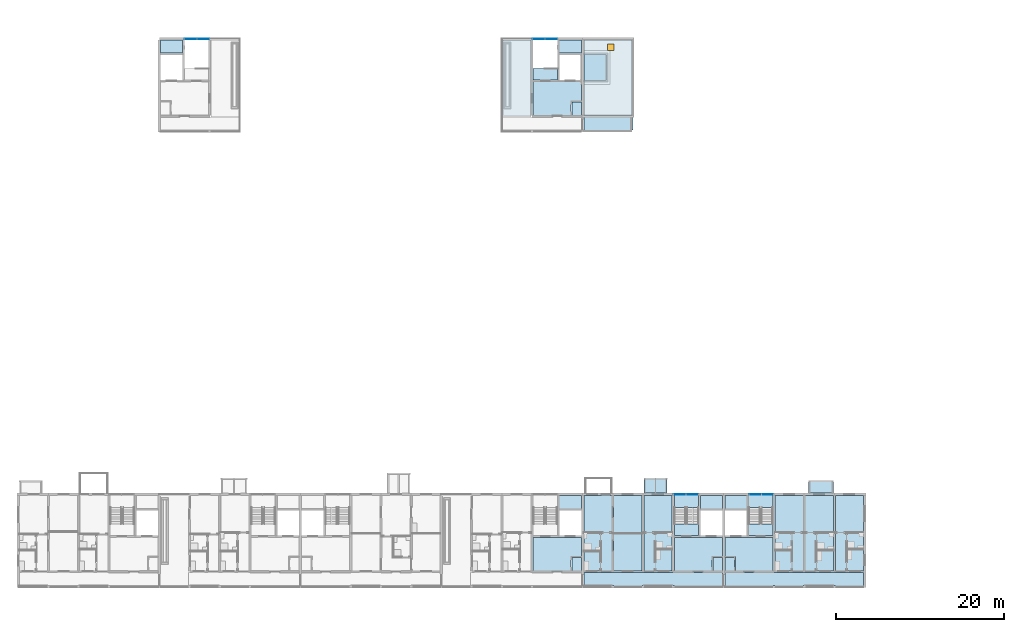
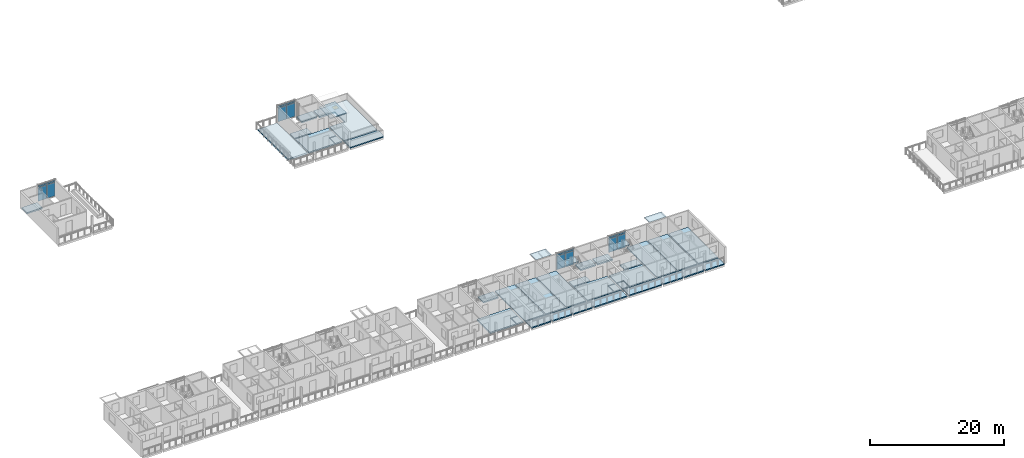
# One storey, part 27 of 78: 32 slabs, 16 plates, 1 door, 1 opening, 6 elements without a shape of their own.
"""IFC4 building model written with IfcOpenShell, lengths in metres."""

from ifc_helpers import new_model, si_unit, direction, frame, origin, origin_2d, place, context, subcontext, project, spatial, polyline, rectangle, outline, extrude, material, layer, layer_set, type_object, element, fill, aggregate, save


model = new_model("IFC4")

# Units and contexts
model_context = context("Model", 3, precision=1e-05, world=origin(), true_north=direction((0.0, 1.0)))
body_context = subcontext(model_context, "Body", "Model", "MODEL_VIEW")
ifc_project = project(units=[si_unit("LENGTHUNIT", "METRE"), si_unit("AREAUNIT", "SQUARE_METRE"), si_unit("VOLUMEUNIT", "CUBIC_METRE"), si_unit("PLANEANGLEUNIT", "RADIAN"), si_unit("MASSUNIT", "GRAM", prefix="KILO")], contexts=[model_context])

# Site, building, storey
site_placement = place(None, origin())
site = spatial("IfcSite", under=ifc_project, at=site_placement, CompositionType="ELEMENT")
building_placement = place(site_placement, origin())
building = spatial("IfcBuilding", under=site, at=building_placement, Name="Ridgestep Commons", CompositionType="ELEMENT")
storey_placement = place(building_placement, frame((0.0, 0.0, 30.0)))
storey = spatial("IfcBuildingStorey", under=building, at=storey_placement, Name="L10", CompositionType="ELEMENT", Elevation=30.0)

# Slabs
ifc_material_1 = material(Name="Precast concrete C40/50", Category="concrete")
ifc_layer_1 = layer(ifc_material_1, 0.199951171875)
ifc_layer_set_1 = layer_set([ifc_layer_1], Name="Gallery roof slab 200")
slab_type_1 = type_object("IfcSlabType", Name="Gallery roof slab 200", PredefinedType="ROOF", material=ifc_layer_set_1)
slab_1_placement = place(storey_placement, frame((0.0, 0.0, -0.199951171875)))
element("IfcSlab", 1, at=slab_1_placement, inside=storey, type_object=slab_type_1, Name="Gallery slab B5 L10", PredefinedType="ROOF", context=body_context, shape_type="SweptSolid", body=[
    extrude(outline(polyline([(79.35009765625, 66.0), (85.074951171875, 66.0), (85.074951171875, 66.25), (85.199951171875, 66.25), (85.199951171875, 67.800048828125), (79.35009765625, 67.800048828125), (79.35009765625, 66.0)])), origin(), (0.0, 0.0, 1.0), 0.199951171875),
])
ifc_material_2 = material(Name="Precast concrete C40/50", Category="concrete")
ifc_layer_2 = layer(ifc_material_2, 0.199951171875)
ifc_layer_set_2 = layer_set([ifc_layer_2], Name="Gallery slab 200")
slab_type_2 = type_object("IfcSlabType", Name="Gallery slab 200", PredefinedType="FLOOR", material=ifc_layer_set_2)
slab_2_placement = place(storey_placement, frame((0.0, 0.0, -0.199951171875)))
element("IfcSlab", 2, at=slab_2_placement, inside=storey, type_object=slab_type_2, Name="Gallery slab A5 L10", PredefinedType="FLOOR", context=body_context, shape_type="SweptSolid", body=[
    extrude(outline(polyline([(95.85009765625, 13.550048828125), (79.35009765625, 13.550048828125), (79.35009765625, 11.75), (82.675048828125, 11.75), (82.675048828125, 12.0), (82.925048828125, 12.0), (82.925048828125, 11.75), (86.27490234375, 11.75), (86.27490234375, 12.0), (86.52490234375, 12.0), (86.52490234375, 11.75), (89.875, 11.75), (89.875, 12.0), (90.125, 12.0), (90.125, 11.75), (95.85009765625, 11.75), (95.85009765625, 13.550048828125)])), origin(), (0.0, 0.0, 1.0), 0.199951171875),
])
slab_3_placement = place(storey_placement, frame((0.0, 0.0, -0.199951171875)))
element("IfcSlab", 3, at=slab_3_placement, inside=storey, type_object=slab_type_2, Name="Gallery slab A6 L10", PredefinedType="FLOOR", context=body_context, shape_type="SweptSolid", body=[
    extrude(outline(polyline([(112.64990234375, 13.550048828125), (96.14990234375, 13.550048828125), (96.14990234375, 11.75), (101.875, 11.75), (101.875, 12.0), (102.125, 12.0), (102.125, 11.75), (105.47509765625, 11.75), (105.47509765625, 12.0), (105.72509765625, 12.0), (105.72509765625, 11.75), (109.074951171875, 11.75), (109.074951171875, 12.0), (109.324951171875, 12.0), (109.324951171875, 11.75), (112.64990234375, 11.75), (112.64990234375, 13.550048828125)])), origin(), (0.0, 0.0, 1.0), 0.199951171875),
])

# Curtain wall, plates
ifc_material_3 = material(Name="Aluminium 6063-T6 and glass", Category="aluminium")
curtain_wall_type = type_object("IfcCurtainWallType", Name="Curtain wall stair strip", PredefinedType="NOTDEFINED", material=ifc_material_3)
curtain_wall_1_placement = place(storey_placement, origin())
curtain_wall_1 = element("IfcCurtainWall", 4, at=curtain_wall_1_placement, inside=storey, type_object=curtain_wall_type, Name="Curtain wall A5C level 10", PredefinedType="NOTDEFINED")
ifc_material_4 = material(Name="Glass laminated 6/16/6 low-emissivity", Category="glass")
ifc_layer_3 = layer(ifc_material_4, 0.028076171875)
ifc_layer_set_3 = layer_set([ifc_layer_3], Name="Glazing panel 28")
plate_type_1 = type_object("IfcPlateType", Name="Glazing panel 28", PredefinedType="CURTAIN_PANEL", material=ifc_layer_set_3)
plate_1_placement = place(storey_placement, frame((90.771240234375, 22.830078125, 0.06005859375), z_axis=(0.0, 0.0, 1.0), x_axis=(1.0, 0.0, 0.0)))
plate_1 = element("IfcPlate", 5, at=plate_1_placement, type_object=plate_type_1, Name="CW1 panel 1.1", PredefinedType="CURTAIN_PANEL", context=body_context, shape_type="SweptSolid", body=[
    extrude(rectangle(XDim=1.422607421875, YDim=0.028076171875, at=origin_2d()), origin(), (0.0, 0.0, 1.0), 2.5),
])
plate_2_placement = place(storey_placement, frame((92.253662109375, 22.830078125, 0.06005859375), z_axis=(0.0, 0.0, 1.0), x_axis=(1.0, 0.0, 0.0)))
plate_2 = element("IfcPlate", 6, at=plate_2_placement, type_object=plate_type_1, Name="CW1 panel 2.1", PredefinedType="CURTAIN_PANEL", context=body_context, shape_type="SweptSolid", body=[
    extrude(rectangle(XDim=1.422607421875, YDim=0.028076171875, at=origin_2d()), origin(), (0.0, 0.0, 1.0), 2.5),
])

curtain_wall_2_placement = place(storey_placement, origin())
curtain_wall_2 = element("IfcCurtainWall", 7, at=curtain_wall_2_placement, inside=storey, type_object=curtain_wall_type, Name="Curtain wall A6C level 10", PredefinedType="NOTDEFINED")
plate_3_placement = place(storey_placement, frame((99.746337890625, 22.830078125, 0.06005859375), z_axis=(0.0, 0.0, 1.0), x_axis=(1.0, 0.0, 0.0)))
plate_3 = element("IfcPlate", 8, at=plate_3_placement, type_object=plate_type_1, Name="CW1 panel 1.1", PredefinedType="CURTAIN_PANEL", context=body_context, shape_type="SweptSolid", body=[
    extrude(rectangle(XDim=1.422607421875, YDim=0.028076171875, at=origin_2d()), origin(), (0.0, 0.0, 1.0), 2.5),
])
plate_4_placement = place(storey_placement, frame((101.228759765625, 22.830078125, 0.06005859375), z_axis=(0.0, 0.0, 1.0), x_axis=(1.0, 0.0, 0.0)))
plate_4 = element("IfcPlate", 9, at=plate_4_placement, type_object=plate_type_1, Name="CW1 panel 2.1", PredefinedType="CURTAIN_PANEL", context=body_context, shape_type="SweptSolid", body=[
    extrude(rectangle(XDim=1.422607421875, YDim=0.028076171875, at=origin_2d()), origin(), (0.0, 0.0, 1.0), 2.5),
])

curtain_wall_3_placement = place(storey_placement, origin())
curtain_wall_3 = element("IfcCurtainWall", 10, at=curtain_wall_3_placement, inside=storey, type_object=curtain_wall_type, Name="Curtain wall B2C level 10", PredefinedType="NOTDEFINED")
plate_5_placement = place(storey_placement, frame((32.546142578125, 77.080078125, 0.06005859375), z_axis=(0.0, 0.0, 1.0), x_axis=(1.0, 0.0, 0.0)))
plate_5 = element("IfcPlate", 11, at=plate_5_placement, type_object=plate_type_1, Name="CW1 panel 1.1", PredefinedType="CURTAIN_PANEL", context=body_context, shape_type="SweptSolid", body=[
    extrude(rectangle(XDim=1.422607421875, YDim=0.028076171875, at=origin_2d()), origin(), (0.0, 0.0, 1.0), 2.5),
])
plate_6_placement = place(storey_placement, frame((34.02880859375, 77.080078125, 0.06005859375), z_axis=(0.0, 0.0, 1.0), x_axis=(1.0, 0.0, 0.0)))
plate_6 = element("IfcPlate", 12, at=plate_6_placement, type_object=plate_type_1, Name="CW1 panel 2.1", PredefinedType="CURTAIN_PANEL", context=body_context, shape_type="SweptSolid", body=[
    extrude(rectangle(XDim=1.422607421875, YDim=0.028076171875, at=origin_2d()), origin(), (0.0, 0.0, 1.0), 2.5),
])

curtain_wall_4_placement = place(storey_placement, origin())
curtain_wall_4 = element("IfcCurtainWall", 13, at=curtain_wall_4_placement, inside=storey, type_object=curtain_wall_type, Name="Curtain wall B4C level 10", PredefinedType="NOTDEFINED")
plate_7_placement = place(storey_placement, frame((73.97119140625, 77.080078125, 0.06005859375), z_axis=(0.0, 0.0, 1.0), x_axis=(1.0, 0.0, 0.0)))
plate_7 = element("IfcPlate", 14, at=plate_7_placement, type_object=plate_type_1, Name="CW1 panel 1.1", PredefinedType="CURTAIN_PANEL", context=body_context, shape_type="SweptSolid", body=[
    extrude(rectangle(XDim=1.422607421875, YDim=0.028076171875, at=origin_2d()), origin(), (0.0, 0.0, 1.0), 2.5),
])
plate_8_placement = place(storey_placement, frame((75.453857421875, 77.080078125, 0.06005859375), z_axis=(0.0, 0.0, 1.0), x_axis=(1.0, 0.0, 0.0)))
plate_8 = element("IfcPlate", 15, at=plate_8_placement, type_object=plate_type_1, Name="CW1 panel 2.1", PredefinedType="CURTAIN_PANEL", context=body_context, shape_type="SweptSolid", body=[
    extrude(rectangle(XDim=1.422607421875, YDim=0.028076171875, at=origin_2d()), origin(), (0.0, 0.0, 1.0), 2.5),
])

# Slabs
ifc_material_5 = material(Name="Precast concrete C50/60", Category="concrete")
ifc_layer_4 = layer(ifc_material_5, 0.199951171875)
ifc_layer_set_4 = layer_set([ifc_layer_4], Name="Hollow-core plank 200")
slab_type_3 = type_object("IfcSlabType", Name="Hollow-core plank 200", PredefinedType="FLOOR", material=ifc_layer_set_4)
slab_4_placement = place(storey_placement, frame((0.0, 0.0, -0.199951171875)))
element("IfcSlab", 16, at=slab_4_placement, inside=storey, type_object=slab_type_3, Name="Floor plank A5T1 L10", PredefinedType="FLOOR", context=body_context, shape_type="SweptSolid", body=[
    extrude(outline(polyline([(82.699951171875, 13.75), (82.699951171875, 22.75), (79.35009765625, 22.75), (79.35009765625, 13.75), (82.699951171875, 13.75)])), origin(), (0.0, 0.0, 1.0), 0.199951171875),
])
slab_5_placement = place(storey_placement, frame((0.0, 0.0, -0.199951171875)))
element("IfcSlab", 17, at=slab_5_placement, inside=storey, type_object=slab_type_3, Name="Floor plank A5T2 L10", PredefinedType="FLOOR", context=body_context, shape_type="SweptSolid", body=[
    extrude(outline(polyline([(86.300048828125, 13.75), (86.300048828125, 22.75), (82.89990234375, 22.75), (82.89990234375, 13.75), (86.300048828125, 13.75)])), origin(), (0.0, 0.0, 1.0), 0.199951171875),
])
slab_6_placement = place(storey_placement, frame((0.0, 0.0, -0.199951171875)))
element("IfcSlab", 18, at=slab_6_placement, inside=storey, type_object=slab_type_3, Name="Floor plank A5T3 L10", PredefinedType="FLOOR", context=body_context, shape_type="SweptSolid", body=[
    extrude(outline(polyline([(89.875, 13.75), (89.875, 22.75), (86.5, 22.75), (86.5, 13.75), (89.875, 13.75)])), origin(), (0.0, 0.0, 1.0), 0.199951171875),
])
slab_7_placement = place(storey_placement, frame((0.0, 0.0, -0.199951171875)))
element("IfcSlab", 19, at=slab_7_placement, inside=storey, type_object=slab_type_3, Name="Floor plank A6T3 L10", PredefinedType="FLOOR", context=body_context, shape_type="SweptSolid", body=[
    extrude(outline(polyline([(105.5, 13.75), (105.5, 22.75), (102.125, 22.75), (102.125, 13.75), (105.5, 13.75)])), origin(), (0.0, 0.0, 1.0), 0.199951171875),
])
slab_8_placement = place(storey_placement, frame((0.0, 0.0, -0.199951171875)))
element("IfcSlab", 20, at=slab_8_placement, inside=storey, type_object=slab_type_3, Name="Floor plank A6T2 L10", PredefinedType="FLOOR", context=body_context, shape_type="SweptSolid", body=[
    extrude(outline(polyline([(109.10009765625, 13.75), (109.10009765625, 22.75), (105.699951171875, 22.75), (105.699951171875, 13.75), (109.10009765625, 13.75)])), origin(), (0.0, 0.0, 1.0), 0.199951171875),
])
slab_9_placement = place(storey_placement, frame((0.0, 0.0, -0.199951171875)))
element("IfcSlab", 21, at=slab_9_placement, inside=storey, type_object=slab_type_3, Name="Floor plank A6T1 L10", PredefinedType="FLOOR", context=body_context, shape_type="SweptSolid", body=[
    extrude(outline(polyline([(112.64990234375, 13.75), (112.64990234375, 22.75), (109.300048828125, 22.75), (109.300048828125, 13.75), (112.64990234375, 13.75)])), origin(), (0.0, 0.0, 1.0), 0.199951171875),
])
ifc_material_6 = material(Name="Precast concrete C50/60", Category="concrete")
ifc_layer_5 = layer(ifc_material_6, 0.25)
ifc_layer_set_5 = layer_set([ifc_layer_5], Name="Hollow-core plank 250")
slab_type_4 = type_object("IfcSlabType", Name="Hollow-core plank 250", PredefinedType="FLOOR", material=ifc_layer_set_5)
slab_10_placement = place(storey_placement, frame((0.0, 0.0, -0.25)))
element("IfcSlab", 22, at=slab_10_placement, inside=storey, type_object=slab_type_4, Name="Floor plank A4C L10", PredefinedType="FLOOR", context=body_context, shape_type="SweptSolid", body=[
    extrude(outline(polyline([(77.919921875, 15.469970703125), (79.050048828125, 15.469970703125), (79.050048828125, 17.75), (73.324951171875, 17.75), (73.324951171875, 13.75), (77.800048828125, 13.75), (77.800048828125, 15.469970703125), (77.919921875, 15.469970703125)])), origin(), (0.0, 0.0, 1.0), 0.25),
])
slab_11_placement = place(storey_placement, frame((0.0, 0.0, -0.25)))
element("IfcSlab", 23, at=slab_11_placement, inside=storey, type_object=slab_type_4, Name="Floor plank A4C L10", PredefinedType="FLOOR", context=body_context, shape_type="SweptSolid", body=[
    extrude(outline(polyline([(79.050048828125, 21.14990234375), (79.050048828125, 22.75), (76.425048828125, 22.75), (76.425048828125, 21.14990234375), (79.050048828125, 21.14990234375)])), origin(), (0.0, 0.0, 1.0), 0.25),
])
slab_12_placement = place(storey_placement, frame((0.0, 0.0, -0.25)))
element("IfcSlab", 24, at=slab_12_placement, inside=storey, type_object=slab_type_4, Name="Floor plank A4C L10", PredefinedType="FLOOR", context=body_context, shape_type="SweptSolid", body=[
    extrude(outline(polyline([(77.919921875, 13.75), (79.050048828125, 13.75), (79.050048828125, 15.35009765625), (77.919921875, 15.35009765625), (77.919921875, 13.75)])), origin(), (0.0, 0.0, 1.0), 0.25),
])
slab_13_placement = place(storey_placement, frame((0.0, 0.0, -0.25)))
element("IfcSlab", 25, at=slab_13_placement, inside=storey, type_object=slab_type_4, Name="Floor plank A5C L10", PredefinedType="FLOOR", context=body_context, shape_type="SweptSolid", body=[
    extrude(outline(polyline([(94.719970703125, 15.469970703125), (95.85009765625, 15.469970703125), (95.85009765625, 17.75), (90.125, 17.75), (90.125, 13.75), (94.60009765625, 13.75), (94.60009765625, 15.469970703125), (94.719970703125, 15.469970703125)])), origin(), (0.0, 0.0, 1.0), 0.25),
])
slab_14_placement = place(storey_placement, frame((0.0, 0.0, -0.25)))
element("IfcSlab", 26, at=slab_14_placement, inside=storey, type_object=slab_type_4, Name="Floor plank A5C L10", PredefinedType="FLOOR", context=body_context, shape_type="SweptSolid", body=[
    extrude(outline(polyline([(95.85009765625, 21.14990234375), (95.85009765625, 22.75), (93.22509765625, 22.75), (93.22509765625, 21.14990234375), (95.85009765625, 21.14990234375)])), origin(), (0.0, 0.0, 1.0), 0.25),
])
slab_15_placement = place(storey_placement, frame((0.0, 0.0, -0.25)))
element("IfcSlab", 27, at=slab_15_placement, inside=storey, type_object=slab_type_4, Name="Floor plank A5C L10", PredefinedType="FLOOR", context=body_context, shape_type="SweptSolid", body=[
    extrude(outline(polyline([(93.02490234375, 17.949951171875), (93.02490234375, 19.35009765625), (90.125, 19.35009765625), (90.125, 17.949951171875), (93.02490234375, 17.949951171875)])), origin(), (0.0, 0.0, 1.0), 0.25),
])
slab_16_placement = place(storey_placement, frame((0.0, 0.0, -0.25)))
element("IfcSlab", 28, at=slab_16_placement, inside=storey, type_object=slab_type_4, Name="Floor plank A5C L10", PredefinedType="FLOOR", context=body_context, shape_type="SweptSolid", body=[
    extrude(outline(polyline([(94.719970703125, 13.75), (95.85009765625, 13.75), (95.85009765625, 15.35009765625), (94.719970703125, 15.35009765625), (94.719970703125, 13.75)])), origin(), (0.0, 0.0, 1.0), 0.25),
])
slab_17_placement = place(storey_placement, frame((0.0, 0.0, -0.25)))
element("IfcSlab", 29, at=slab_17_placement, inside=storey, type_object=slab_type_4, Name="Floor plank A6C L10", PredefinedType="FLOOR", context=body_context, shape_type="SweptSolid", body=[
    extrude(outline(polyline([(97.39990234375, 13.75), (101.875, 13.75), (101.875, 17.75), (96.14990234375, 17.75), (96.14990234375, 15.469970703125), (97.280029296875, 15.469970703125), (97.39990234375, 15.469970703125), (97.39990234375, 13.75)])), origin(), (0.0, 0.0, 1.0), 0.25),
])
slab_18_placement = place(storey_placement, frame((0.0, 0.0, -0.25)))
element("IfcSlab", 30, at=slab_18_placement, inside=storey, type_object=slab_type_4, Name="Floor plank A6C L10", PredefinedType="FLOOR", context=body_context, shape_type="SweptSolid", body=[
    extrude(outline(polyline([(98.77490234375, 22.75), (96.14990234375, 22.75), (96.14990234375, 21.14990234375), (98.77490234375, 21.14990234375), (98.77490234375, 22.75)])), origin(), (0.0, 0.0, 1.0), 0.25),
])
slab_19_placement = place(storey_placement, frame((0.0, 0.0, -0.25)))
element("IfcSlab", 31, at=slab_19_placement, inside=storey, type_object=slab_type_4, Name="Floor plank A6C L10", PredefinedType="FLOOR", context=body_context, shape_type="SweptSolid", body=[
    extrude(outline(polyline([(101.875, 17.949951171875), (101.875, 19.35009765625), (98.97509765625, 19.35009765625), (98.97509765625, 17.949951171875), (101.875, 17.949951171875)])), origin(), (0.0, 0.0, 1.0), 0.25),
])
slab_20_placement = place(storey_placement, frame((0.0, 0.0, -0.25)))
element("IfcSlab", 32, at=slab_20_placement, inside=storey, type_object=slab_type_4, Name="Floor plank A6C L10", PredefinedType="FLOOR", context=body_context, shape_type="SweptSolid", body=[
    extrude(outline(polyline([(97.280029296875, 15.35009765625), (96.14990234375, 15.35009765625), (96.14990234375, 13.75), (97.280029296875, 13.75), (97.280029296875, 15.35009765625)])), origin(), (0.0, 0.0, 1.0), 0.25),
])
slab_21_placement = place(storey_placement, frame((0.0, 0.0, -0.25)))
element("IfcSlab", 33, at=slab_21_placement, inside=storey, type_object=slab_type_4, Name="Floor plank B2C L10", PredefinedType="FLOOR", context=body_context, shape_type="SweptSolid", body=[
    extrude(outline(polyline([(31.574951171875, 77.0), (28.949951171875, 77.0), (28.949951171875, 75.39990234375), (31.574951171875, 75.39990234375), (31.574951171875, 77.0)])), origin(), (0.0, 0.0, 1.0), 0.25),
])
slab_22_placement = place(storey_placement, frame((0.0, 0.0, -0.25)))
element("IfcSlab", 34, at=slab_22_placement, inside=storey, type_object=slab_type_4, Name="Floor plank B4C L10", PredefinedType="FLOOR", context=body_context, shape_type="SweptSolid", body=[
    extrude(outline(polyline([(77.919921875, 69.719970703125), (79.050048828125, 69.719970703125), (79.050048828125, 72.0), (73.324951171875, 72.0), (73.324951171875, 68.0), (77.800048828125, 68.0), (77.800048828125, 69.719970703125), (77.919921875, 69.719970703125)])), origin(), (0.0, 0.0, 1.0), 0.25),
])
slab_23_placement = place(storey_placement, frame((0.0, 0.0, -0.25)))
element("IfcSlab", 35, at=slab_23_placement, inside=storey, type_object=slab_type_4, Name="Floor plank B4C L10", PredefinedType="FLOOR", context=body_context, shape_type="SweptSolid", body=[
    extrude(outline(polyline([(79.050048828125, 75.39990234375), (79.050048828125, 77.0), (76.425048828125, 77.0), (76.425048828125, 75.39990234375), (79.050048828125, 75.39990234375)])), origin(), (0.0, 0.0, 1.0), 0.25),
])
slab_24_placement = place(storey_placement, frame((0.0, 0.0, -0.25)))
element("IfcSlab", 36, at=slab_24_placement, inside=storey, type_object=slab_type_4, Name="Floor plank B4C L10", PredefinedType="FLOOR", context=body_context, shape_type="SweptSolid", body=[
    extrude(outline(polyline([(76.22509765625, 72.199951171875), (76.22509765625, 73.60009765625), (73.324951171875, 73.60009765625), (73.324951171875, 72.199951171875), (76.22509765625, 72.199951171875)])), origin(), (0.0, 0.0, 1.0), 0.25),
])
slab_25_placement = place(storey_placement, frame((0.0, 0.0, -0.25)))
element("IfcSlab", 37, at=slab_25_placement, inside=storey, type_object=slab_type_4, Name="Floor plank B4C L10", PredefinedType="FLOOR", context=body_context, shape_type="SweptSolid", body=[
    extrude(outline(polyline([(77.919921875, 68.0), (79.050048828125, 68.0), (79.050048828125, 69.60009765625), (77.919921875, 69.60009765625), (77.919921875, 68.0)])), origin(), (0.0, 0.0, 1.0), 0.25),
])
ifc_material_7 = material(Name="Precast concrete C50/60", Category="concrete")
ifc_layer_6 = layer(ifc_material_7, 0.199951171875)
ifc_layer_set_6 = layer_set([ifc_layer_6], Name="Overrun roof 200")
slab_type_5 = type_object("IfcSlabType", Name="Overrun roof 200", PredefinedType="ROOF", material=ifc_layer_set_6)
slab_26_placement = place(storey_placement, frame((0.0, 0.0, 1.5)))
element("IfcSlab", 38, at=slab_26_placement, inside=storey, type_object=slab_type_5, Name="Lift overrun roof B5C", PredefinedType="ROOF", context=body_context, shape_type="SweptSolid", body=[
    extrude(outline(polyline([(82.175048828125, 75.39990234375), (79.35009765625, 75.39990234375), (79.35009765625, 72.0), (82.175048828125, 72.0), (82.175048828125, 75.39990234375)])), origin(), (0.0, 0.0, 1.0), 0.199951171875),
])
ifc_material_8 = material(Name="Precast concrete C50/60", Category="concrete")
ifc_layer_7 = layer(ifc_material_8, 0.25)
ifc_layer_set_7 = layer_set([ifc_layer_7], Name="Roof slab 250")
slab_type_6 = type_object("IfcSlabType", Name="Roof slab 250", PredefinedType="ROOF", material=ifc_layer_set_7)
slab_27_placement = place(storey_placement, frame((0.0, 0.0, -0.25)))
element("IfcSlab", 39, at=slab_27_placement, inside=storey, type_object=slab_type_6, Name="Terrace slab B4T3", PredefinedType="ROOF", context=body_context, shape_type="SweptSolid", body=[
    extrude(outline(polyline([(73.074951171875, 68.0), (73.074951171875, 77.0), (69.699951171875, 77.0), (69.699951171875, 68.0), (73.074951171875, 68.0)])), origin(), (0.0, 0.0, 1.0), 0.25),
])

# Slab, opening, door
slab_28_placement = place(storey_placement, frame((0.0, 0.0, -0.25)))
slab_28 = element("IfcSlab", 40, at=slab_28_placement, inside=storey, type_object=slab_type_6, Name="Roof slab B5C", PredefinedType="ROOF", context=body_context, shape_type="SweptSolid", body=[
    extrude(outline(polyline([(79.35009765625, 77.0), (79.35009765625, 75.199951171875), (81.97509765625, 75.199951171875), (81.97509765625, 72.199951171875), (79.35009765625, 72.199951171875), (79.35009765625, 68.0), (85.074951171875, 68.0), (85.074951171875, 77.0), (79.35009765625, 77.0)])), origin(), (0.0, 0.0, 1.0), 0.25),
])
opening_placement = place(slab_28_placement, frame((82.574951171875, 76.10009765625, 0.0)))
opening = element("IfcOpeningElement", 41, at=opening_placement, cuts=slab_28, Name="Opening B5C/RF/1", PredefinedType="OPENING", context=body_context, shape_type="SweptSolid", body=[
    extrude(rectangle(XDim=0.800048828125, YDim=0.800048828125, at=origin_2d()), origin(), (0.0, 0.0, 1.0), 0.25),
])
ifc_material_9 = material(Name="Steel", Category="steel")
door_type = type_object("IfcDoorType", Name="Ladder roof hatch 800 x 800", OperationType="SINGLE_SWING_LEFT", PredefinedType="TRAPDOOR", material=ifc_material_9)
door_placement = place(opening_placement, frame((0.0, 0.0, 0.199951171875)))
door = element("IfcDoor", 42, at=door_placement, inside=storey, type_object=door_type, Name="Roof hatch B5C", OperationType="SINGLE_SWING_LEFT", OverallHeight=0.800048828125, OverallWidth=0.800048828125, PredefinedType="TRAPDOOR", context=body_context, shape_type="SweptSolid", body=[
    extrude(rectangle(XDim=0.800048828125, YDim=0.800048828125, at=origin_2d()), origin(), (0.0, 0.0, 1.0), 0.050048828125),
])
fill(opening, door)

# Plate
ifc_material_10 = material(Name="Aluminium 6063-T6 and mineral wool", Category="aluminium")
ifc_layer_8 = layer(ifc_material_10, 0.0400390625)
ifc_layer_set_8 = layer_set([ifc_layer_8], Name="Spandrel panel 40")
plate_type_2 = type_object("IfcPlateType", Name="Spandrel panel 40", PredefinedType="CURTAIN_PANEL", material=ifc_layer_set_8)
plate_9_placement = place(storey_placement, frame((90.771240234375, 22.830078125, 2.6201171875), z_axis=(0.0, 0.0, 1.0), x_axis=(1.0, 0.0, 0.0)))
plate_9 = element("IfcPlate", 43, at=plate_9_placement, type_object=plate_type_2, Name="CW1 panel 1.2", PredefinedType="CURTAIN_PANEL", context=body_context, shape_type="SweptSolid", body=[
    extrude(rectangle(XDim=1.422607421875, YDim=0.0400390625, at=origin_2d()), origin(), (0.0, 0.0, 1.0), 0.320068359375),
])

plate_10_placement = place(storey_placement, frame((92.253662109375, 22.830078125, 2.6201171875), z_axis=(0.0, 0.0, 1.0), x_axis=(1.0, 0.0, 0.0)))
plate_10 = element("IfcPlate", 44, at=plate_10_placement, type_object=plate_type_2, Name="CW1 panel 2.2", PredefinedType="CURTAIN_PANEL", context=body_context, shape_type="SweptSolid", body=[
    extrude(rectangle(XDim=1.422607421875, YDim=0.0400390625, at=origin_2d()), origin(), (0.0, 0.0, 1.0), 0.320068359375),
])

aggregate(curtain_wall_1, [plate_1, plate_9, plate_2, plate_10])

plate_11_placement = place(storey_placement, frame((99.746337890625, 22.830078125, 2.6201171875), z_axis=(0.0, 0.0, 1.0), x_axis=(1.0, 0.0, 0.0)))
plate_11 = element("IfcPlate", 45, at=plate_11_placement, type_object=plate_type_2, Name="CW1 panel 1.2", PredefinedType="CURTAIN_PANEL", context=body_context, shape_type="SweptSolid", body=[
    extrude(rectangle(XDim=1.422607421875, YDim=0.0400390625, at=origin_2d()), origin(), (0.0, 0.0, 1.0), 0.320068359375),
])

plate_12_placement = place(storey_placement, frame((101.228759765625, 22.830078125, 2.6201171875), z_axis=(0.0, 0.0, 1.0), x_axis=(1.0, 0.0, 0.0)))
plate_12 = element("IfcPlate", 46, at=plate_12_placement, type_object=plate_type_2, Name="CW1 panel 2.2", PredefinedType="CURTAIN_PANEL", context=body_context, shape_type="SweptSolid", body=[
    extrude(rectangle(XDim=1.422607421875, YDim=0.0400390625, at=origin_2d()), origin(), (0.0, 0.0, 1.0), 0.320068359375),
])

aggregate(curtain_wall_2, [plate_3, plate_11, plate_4, plate_12])

plate_13_placement = place(storey_placement, frame((32.546142578125, 77.080078125, 2.6201171875), z_axis=(0.0, 0.0, 1.0), x_axis=(1.0, 0.0, 0.0)))
plate_13 = element("IfcPlate", 47, at=plate_13_placement, type_object=plate_type_2, Name="CW1 panel 1.2", PredefinedType="CURTAIN_PANEL", context=body_context, shape_type="SweptSolid", body=[
    extrude(rectangle(XDim=1.422607421875, YDim=0.0400390625, at=origin_2d()), origin(), (0.0, 0.0, 1.0), 0.320068359375),
])

plate_14_placement = place(storey_placement, frame((34.02880859375, 77.080078125, 2.6201171875), z_axis=(0.0, 0.0, 1.0), x_axis=(1.0, 0.0, 0.0)))
plate_14 = element("IfcPlate", 48, at=plate_14_placement, type_object=plate_type_2, Name="CW1 panel 2.2", PredefinedType="CURTAIN_PANEL", context=body_context, shape_type="SweptSolid", body=[
    extrude(rectangle(XDim=1.422607421875, YDim=0.0400390625, at=origin_2d()), origin(), (0.0, 0.0, 1.0), 0.320068359375),
])

aggregate(curtain_wall_3, [plate_5, plate_13, plate_6, plate_14])

plate_15_placement = place(storey_placement, frame((73.97119140625, 77.080078125, 2.6201171875), z_axis=(0.0, 0.0, 1.0), x_axis=(1.0, 0.0, 0.0)))
plate_15 = element("IfcPlate", 49, at=plate_15_placement, type_object=plate_type_2, Name="CW1 panel 1.2", PredefinedType="CURTAIN_PANEL", context=body_context, shape_type="SweptSolid", body=[
    extrude(rectangle(XDim=1.422607421875, YDim=0.0400390625, at=origin_2d()), origin(), (0.0, 0.0, 1.0), 0.320068359375),
])

plate_16_placement = place(storey_placement, frame((75.453857421875, 77.080078125, 2.6201171875), z_axis=(0.0, 0.0, 1.0), x_axis=(1.0, 0.0, 0.0)))
plate_16 = element("IfcPlate", 50, at=plate_16_placement, type_object=plate_type_2, Name="CW1 panel 2.2", PredefinedType="CURTAIN_PANEL", context=body_context, shape_type="SweptSolid", body=[
    extrude(rectangle(XDim=1.422607421875, YDim=0.0400390625, at=origin_2d()), origin(), (0.0, 0.0, 1.0), 0.320068359375),
])

aggregate(curtain_wall_4, [plate_7, plate_15, plate_8, plate_16])

# Stair, slab
ifc_material_11 = material(Name="Precast concrete C40/50", Category="concrete")
stair_type = type_object("IfcStairType", Name="Escape stair 1400", PredefinedType="HALF_TURN_STAIR", material=ifc_material_11)
stair_1_placement = place(storey_placement, origin())
stair_1 = element("IfcStair", 51, at=stair_1_placement, inside=storey, type_object=stair_type, Name="L10 Escape stair A5C", PredefinedType="HALF_TURN_STAIR")
ifc_material_12 = material(Name="Precast concrete C40/50", Category="concrete")
ifc_layer_9 = layer(ifc_material_12, 0.199951171875)
ifc_layer_set_9 = layer_set([ifc_layer_9], Name="Stair landing 200")
slab_type_7 = type_object("IfcSlabType", Name="Stair landing 200", PredefinedType="LANDING", material=ifc_layer_set_9)
slab_29_placement = place(storey_placement, frame((0.0, 0.0, 1.300048828125)))
slab_29 = element("IfcSlab", 52, at=slab_29_placement, type_object=slab_type_7, Name="A5C landing 1", PredefinedType="LANDING", context=body_context, shape_type="SweptSolid", body=[
    extrude(outline(polyline([(93.02490234375, 21.31005859375), (93.02490234375, 22.75), (90.125, 22.75), (90.125, 21.31005859375), (93.02490234375, 21.31005859375)])), origin(), (0.0, 0.0, 1.0), 0.199951171875),
])
aggregate(stair_1, [slab_29])

stair_2_placement = place(storey_placement, origin())
stair_2 = element("IfcStair", 53, at=stair_2_placement, inside=storey, type_object=stair_type, Name="L10 Escape stair A6C", PredefinedType="HALF_TURN_STAIR")
slab_30_placement = place(storey_placement, frame((0.0, 0.0, 1.300048828125)))
slab_30 = element("IfcSlab", 54, at=slab_30_placement, type_object=slab_type_7, Name="A6C landing 1", PredefinedType="LANDING", context=body_context, shape_type="SweptSolid", body=[
    extrude(outline(polyline([(101.875, 21.31005859375), (101.875, 22.75), (98.97509765625, 22.75), (98.97509765625, 21.31005859375), (101.875, 21.31005859375)])), origin(), (0.0, 0.0, 1.0), 0.199951171875),
])
aggregate(stair_2, [slab_30])

# Slabs
ifc_material_13 = material(Name="Weathering steel S355J2W", Category="steel")
ifc_layer_10 = layer(ifc_material_13, 0.010009765625)
ifc_layer_set_10 = layer_set([ifc_layer_10], Name="Tray 2.8 x 1.8")
slab_type_8 = type_object("IfcSlabType", Name="Tray 2.8 x 1.8", PredefinedType="FLOOR", material=ifc_layer_set_10)
slab_31_placement = place(storey_placement, frame((0.0, 0.0, 2.989990234375)))
element("IfcSlab", 55, at=slab_31_placement, inside=storey, type_object=slab_type_8, Name="Tray deck A5T3-11", PredefinedType="FLOOR", context=body_context, shape_type="SweptSolid", body=[
    extrude(outline(polyline([(86.530029296875, 23.0), (89.27001953125, 23.0), (89.27001953125, 24.800048828125), (86.530029296875, 24.800048828125), (86.530029296875, 23.0)])), origin(), (0.0, 0.0, 1.0), 0.010009765625),
])
ifc_material_14 = material(Name="Weathering steel S355J2W", Category="steel")
ifc_layer_11 = layer(ifc_material_14, 0.010009765625)
ifc_layer_set_11 = layer_set([ifc_layer_11], Name="Tray 3.0 x 1.5")
slab_type_9 = type_object("IfcSlabType", Name="Tray 3.0 x 1.5", PredefinedType="FLOOR", material=ifc_layer_set_11)
slab_32_placement = place(storey_placement, frame((0.0, 0.0, 2.989990234375)))
element("IfcSlab", 56, at=slab_32_placement, inside=storey, type_object=slab_type_9, Name="Tray deck A6T2-11", PredefinedType="FLOOR", context=body_context, shape_type="SweptSolid", body=[
    extrude(outline(polyline([(106.1298828125, 23.0), (109.070068359375, 23.0), (109.070068359375, 24.5), (106.1298828125, 24.5), (106.1298828125, 23.0)])), origin(), (0.0, 0.0, 1.0), 0.010009765625),
])

save(model, "model.ifc")
